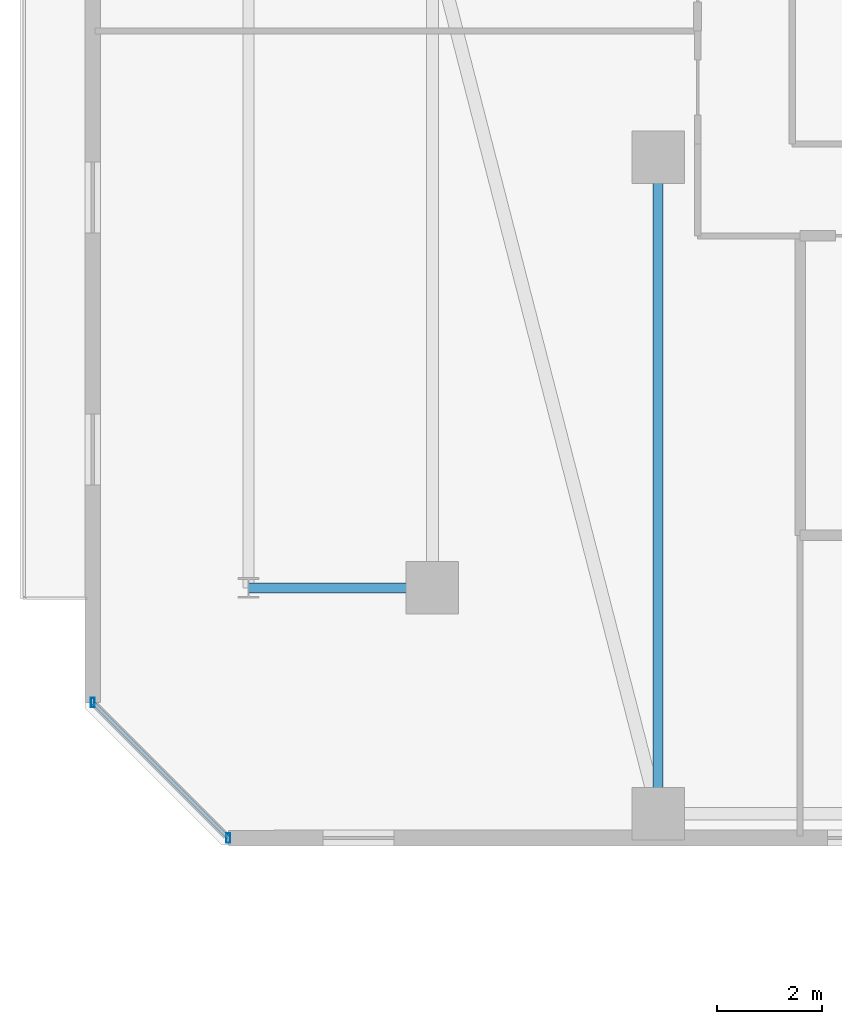
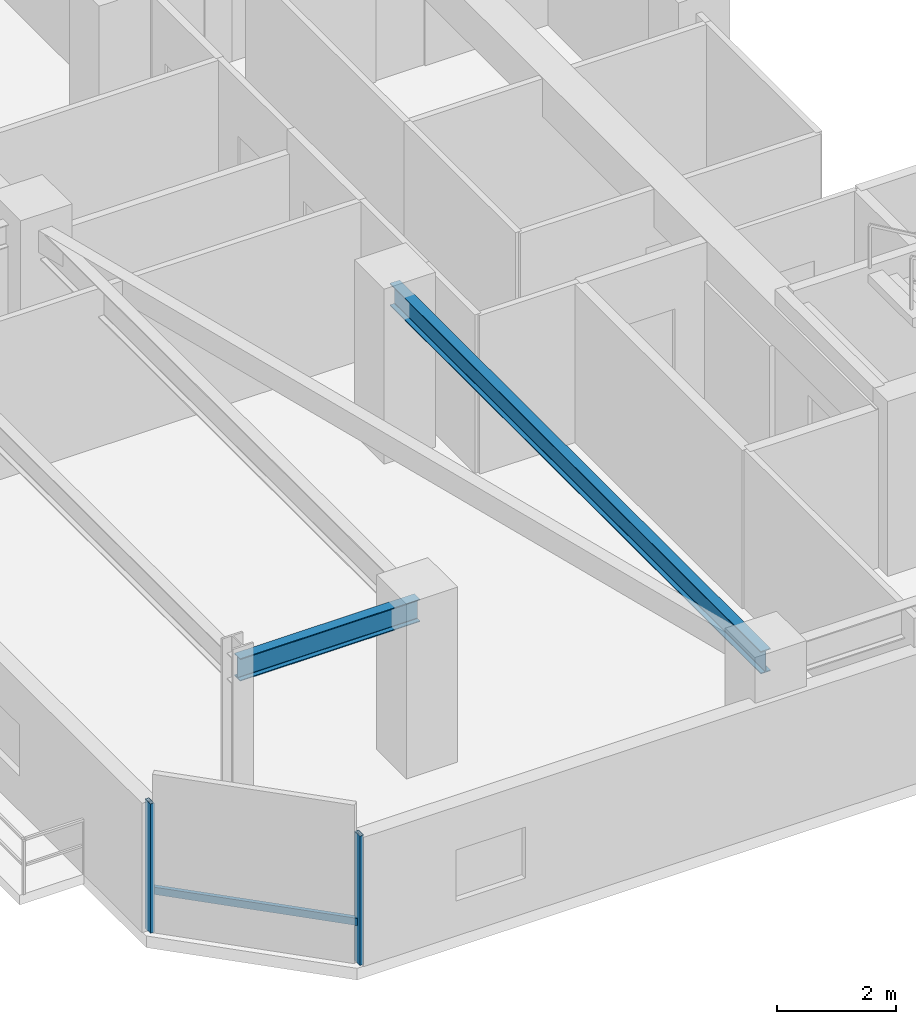
# One storey, part 3 of 33: 3 members, 2 beams, 1 element without a shape of its own.
"""IFC4 building model written with IfcOpenShell, lengths in metres."""

from ifc_helpers import new_model, si_unit, direction, frame, origin, origin_2d, place, context, subcontext, project, spatial, hollow_rectangle, i_section, extrude, material, material_profile, profile_set, type_object, element, aggregate, save


model = new_model("IFC4")

# Units and contexts
model_context = context("Model", 3, precision=1e-05, world=origin(), true_north=direction((0.0, 1.0)))
body_context = subcontext(model_context, "Body", "Model", "MODEL_VIEW")
ifc_project = project(units=[si_unit("LENGTHUNIT", "METRE"), si_unit("AREAUNIT", "SQUARE_METRE"), si_unit("VOLUMEUNIT", "CUBIC_METRE"), si_unit("PLANEANGLEUNIT", "RADIAN"), si_unit("MASSUNIT", "GRAM", prefix="KILO")], contexts=[model_context])

# Site, building, storey
site_placement = place(None, origin())
site = spatial("IfcSite", under=ifc_project, at=site_placement, CompositionType="ELEMENT")
building_placement = place(site_placement, origin())
building = spatial("IfcBuilding", under=site, at=building_placement, Name="Thornwick Lancets Civic Towers", CompositionType="ELEMENT")
storey_placement = place(building_placement, frame((0.0, 0.0, 218.10009765625)))
storey = spatial("IfcBuildingStorey", under=building, at=storey_placement, Name="L58", CompositionType="ELEMENT", Elevation=218.10009765625)

# Beams
ifc_material_1 = material(Name="Steel S355JR", Category="steel")
ifc_material_profile_1 = material_profile(ifc_material_1, i_section(OverallWidth=0.19189453125, OverallDepth=0.46337890625, WebThickness=0.010498046875, FlangeThickness=0.017578125, FilletRadius=0.01025390625, at=origin_2d()), Name="UKB 457x191x89")
ifc_profile_set_1 = profile_set([ifc_material_profile_1], Name="Steel S355JR")
beam_type = type_object("IfcBeamType", Name="BM_JOIST_457_89", PredefinedType="JOIST", material=ifc_profile_set_1)
beam_1_placement = place(storey_placement, frame((12.5, 22.199951171875, 3.048095703125), z_axis=(0.0, -1.0, 0.0), x_axis=(1.0, 0.0, 0.0)))
element("IfcBeam", 1, at=beam_1_placement, inside=storey, type_object=beam_type, Name="BM-RADIN-L58-A01", PredefinedType="JOIST", context=body_context, shape_type="SweptSolid", body=[
    extrude(i_section(OverallWidth=0.19189453125, OverallDepth=0.46337890625, WebThickness=0.010498046875, FlangeThickness=0.017578125, FilletRadius=0.01025390625, at=origin_2d()), origin(), (0.0, 0.0, 1.0), 12.5),
])
beam_2_placement = place(storey_placement, frame((8.199951171875, 14.0, 3.048095703125), z_axis=(-1.0, 0.0, 0.0), x_axis=(0.0, -1.0, 0.0)))
element("IfcBeam", 2, at=beam_2_placement, inside=storey, type_object=beam_type, Name="BM-RAD-L58-A10", PredefinedType="JOIST", context=body_context, shape_type="SweptSolid", body=[
    extrude(i_section(OverallWidth=0.19189453125, OverallDepth=0.46337890625, WebThickness=0.010498046875, FlangeThickness=0.017578125, FilletRadius=0.01025390625, at=origin_2d()), origin(), (0.0, 0.0, 1.0), 3.5),
])

# Curtain wall, members
ifc_material_2 = material(Name="High-zone chamfered-corner unitised glass curtain wall", Category="glass")
curtain_wall_type = type_object("IfcCurtainWallType", Name="CW_SYS_05", PredefinedType="NOTDEFINED", material=ifc_material_2)
curtain_wall_placement = place(storey_placement, origin())
curtain_wall = element("IfcCurtainWall", 3, at=curtain_wall_placement, inside=storey, type_object=curtain_wall_type, Name="L58 Curtain Wall CW-L58-A-E7", PredefinedType="NOTDEFINED")
ifc_material_3 = material(Name="Thermally broken bronze aluminium S355", Category="steel")
ifc_material_profile_2 = material_profile(ifc_material_3, hollow_rectangle(XDim=0.074951171875, YDim=0.179931640625, WallThickness=0.006103515625, at=origin_2d()), Name="RHS 180x75x6")
ifc_profile_set_2 = profile_set([ifc_material_profile_2], Name="Thermally broken bronze aluminium S355")
member_type_1 = type_object("IfcMemberType", Name="CW_MUL_180", PredefinedType="MULLION", material=ifc_profile_set_2)
member_1_placement = place(storey_placement, frame((1.7353515625, 11.818603515625, 0.0), z_axis=(0.0, 0.0, 1.0), x_axis=(1.0, 0.0, 0.0)))
member_1 = element("IfcMember", 4, at=member_1_placement, type_object=member_type_1, Name="CW-L58-A-E7 Mullion 0", PredefinedType="MULLION", context=body_context, shape_type="SweptSolid", body=[
    extrude(hollow_rectangle(XDim=0.074951171875, YDim=0.179931640625, WallThickness=0.006103515625, at=origin_2d()), origin(), (0.0, 0.0, 1.0), 2.659912109375),
])
member_2_placement = place(storey_placement, frame((4.318603515625, 9.2353515625, 0.0), z_axis=(0.0, 0.0, 1.0), x_axis=(1.0, 0.0, 0.0)))
member_2 = element("IfcMember", 5, at=member_2_placement, type_object=member_type_1, Name="CW-L58-A-E7 Mullion 1", PredefinedType="MULLION", context=body_context, shape_type="SweptSolid", body=[
    extrude(hollow_rectangle(XDim=0.074951171875, YDim=0.179931640625, WallThickness=0.006103515625, at=origin_2d()), origin(), (0.0, 0.0, 1.0), 2.659912109375),
])
ifc_material_profile_3 = material_profile(ifc_material_3, hollow_rectangle(XDim=0.074951171875, YDim=0.14990234375, WallThickness=0.0048828125, at=origin_2d()), Name="RHS 150x75x5")
ifc_profile_set_3 = profile_set([ifc_material_profile_3], Name="Thermally broken bronze aluminium S355")
member_type_2 = type_object("IfcMemberType", Name="CW_TRN_150", PredefinedType="USERDEFINED", material=ifc_profile_set_3)
member_3_placement = place(storey_placement, frame((1.74951171875, 11.804443359375, 0.849853515625), z_axis=(0.707106781187, -0.707106781187, 0.0), x_axis=(0.707106781187, 0.707106781187, 0.0)))
member_3 = element("IfcMember", 6, at=member_3_placement, type_object=member_type_2, Name="CW-L58-A-E7 Transom 0", ObjectType="TRANSOM", PredefinedType="USERDEFINED", context=body_context, shape_type="SweptSolid", body=[
    extrude(hollow_rectangle(XDim=0.074951171875, YDim=0.14990234375, WallThickness=0.0048828125, at=origin_2d()), origin(), (0.0, 0.0, 1.0), 3.61328125),
])
aggregate(curtain_wall, [member_1, member_2, member_3])

save(model, "model.ifc")
